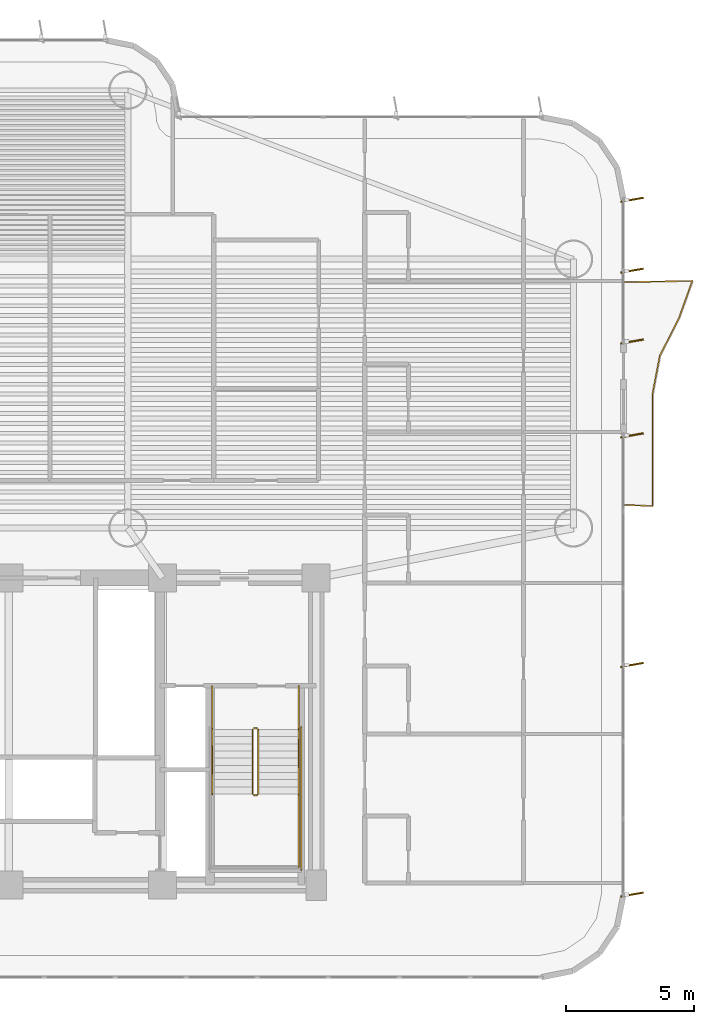
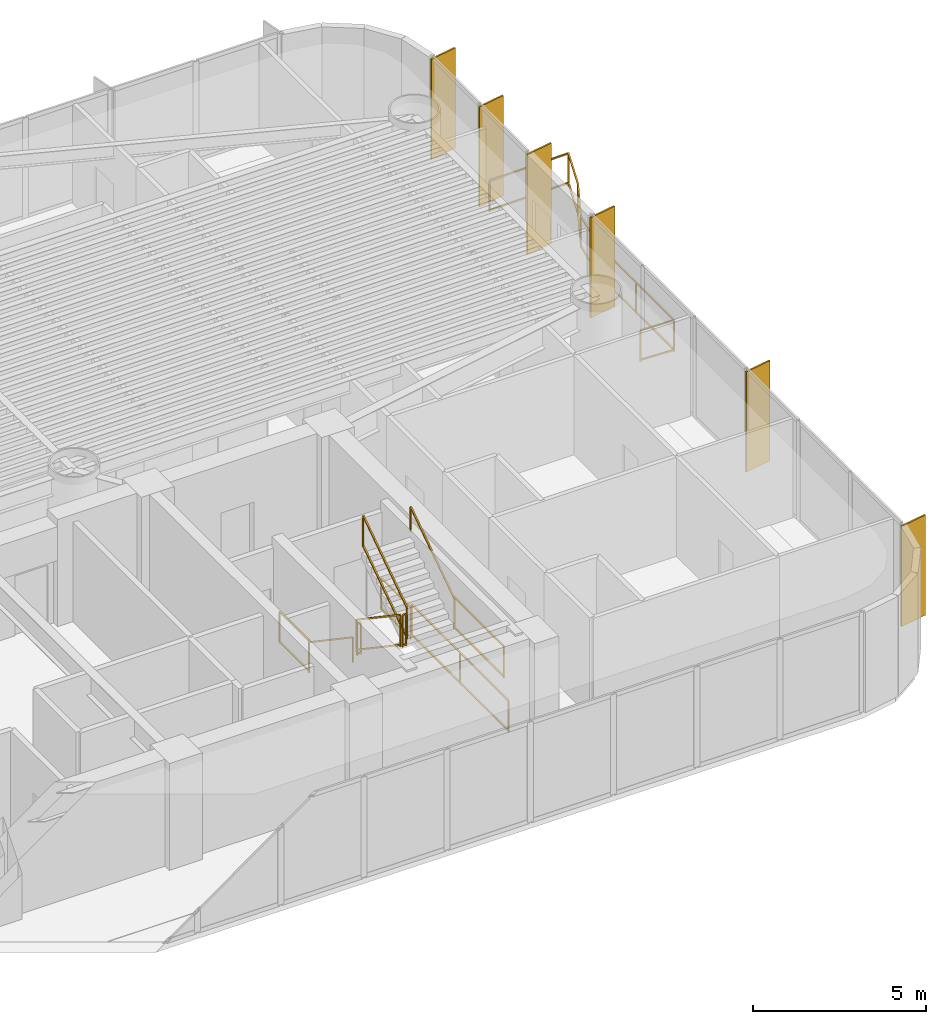
# One storey, part 17 of 18: 11 railings, 6 shading devices.
"""IFC4 building model written with IfcOpenShell, lengths in metres."""

from ifc_helpers import new_model, si_unit, direction, frame, origin, origin_2d, place, context, subcontext, project, spatial, rectangle, extrude, source, transform, mapped, material, layer, layer_set, material_profile, profile_set, type_object, element, save


model = new_model("IFC4")

# Units and contexts
model_context = context("Model", 3, precision=1e-05, world=origin(), true_north=direction((0.0, 1.0)))
body_context = subcontext(model_context, "Body", "Model", "MODEL_VIEW")
ifc_project = project(units=[si_unit("LENGTHUNIT", "METRE"), si_unit("AREAUNIT", "SQUARE_METRE"), si_unit("VOLUMEUNIT", "CUBIC_METRE"), si_unit("PLANEANGLEUNIT", "RADIAN"), si_unit("MASSUNIT", "GRAM", prefix="KILO")], contexts=[model_context])

# Site, building, storey
site_placement = place(None, origin())
site = spatial("IfcSite", under=ifc_project, at=site_placement, CompositionType="ELEMENT")
building_placement = place(site_placement, origin())
building = spatial("IfcBuilding", under=site, at=building_placement, Name="Brelvock Crest Care Tower", CompositionType="ELEMENT")
storey_placement = place(building_placement, frame((0.0, 0.0, 38.340087890625)))
storey = spatial("IfcBuildingStorey", under=building, at=storey_placement, Name="L09", CompositionType="ELEMENT", Elevation=38.340087890625)

# Railings
ifc_material_1 = material(Name="Dark Glass Double Glazed Low-E", Category="glass")
ifc_layer_1 = layer(ifc_material_1, 0.06005859375, Name="RL-BAL1")
ifc_layer_set_1 = layer_set([ifc_layer_1], Name="Dark Glass Double Glazed Low-E")
railing_type_1 = type_object("IfcRailingType", Name="RL-BAL1", PredefinedType="BALUSTRADE", material=ifc_layer_set_1)
railing_1_placement = place(storey_placement, frame((60.0400390625, 20.85009765625, 0.00390625)))
element("IfcRailing", 1, at=railing_1_placement, inside=storey, type_object=railing_type_1, Name="L09 Safety Balustrade WB-E", PredefinedType="BALUSTRADE", context=body_context, shape_type="SweptSolid", body=[
    extrude(rectangle(XDim=0.048095703125, YDim=0.048095703125, at=origin_2d()), frame((0.001953125, 0.0, 1.09619140625), z_axis=(0.998966252902, -0.045457953795, 0.0), x_axis=(0.045457953795, 0.998966252902, 0.0)), (0.0, 0.0, 1.0), 1.096923828125),
    extrude(rectangle(XDim=0.048095703125, YDim=0.048095703125, at=origin_2d()), frame((0.001953125, 0.0, 0.054931640625), z_axis=(0.998966252902, -0.045457953795, 0.0), x_axis=(0.045457953795, 0.998966252902, 0.0)), (0.0, 0.0, 1.0), 1.096923828125),
    extrude(rectangle(XDim=0.048095703125, YDim=0.048095703125, at=origin_2d()), frame((1.099853515625, -0.048095703125, 1.09619140625), z_axis=(0.0, 1.0, 0.0), x_axis=(-1.0, 0.0, 0.0)), (0.0, 0.0, 1.0), 4.39599609375),
    extrude(rectangle(XDim=0.048095703125, YDim=0.048095703125, at=origin_2d()), frame((1.099853515625, -0.048095703125, 0.054931640625), z_axis=(0.0, 1.0, 0.0), x_axis=(-1.0, 0.0, 0.0)), (0.0, 0.0, 1.0), 4.39599609375),
    extrude(rectangle(XDim=0.048095703125, YDim=0.048095703125, at=origin_2d()), frame((1.100341796875, 4.351806640625, 1.09619140625), z_axis=(0.187051999936, 0.982350013651, 0.0), x_axis=(-0.982350013651, 0.187051999936, 0.0)), (0.0, 0.0, 1.0), 1.4892578125),
    extrude(rectangle(XDim=0.048095703125, YDim=0.048095703125, at=origin_2d()), frame((1.100341796875, 4.351806640625, 0.054931640625), z_axis=(0.187051999936, 0.982350013651, 0.0), x_axis=(-0.982350013651, 0.187051999936, 0.0)), (0.0, 0.0, 1.0), 1.4892578125),
    extrude(rectangle(XDim=0.048095703125, YDim=0.048095703125, at=origin_2d()), frame((1.380126953125, 5.818359375, 1.09619140625), z_axis=(0.453316616849, 0.891349563801, 0.0), x_axis=(-0.891349563801, 0.453316616849, 0.0)), (0.0, 0.0, 1.0), 1.641357421875),
    extrude(rectangle(XDim=0.048095703125, YDim=0.048095703125, at=origin_2d()), frame((1.380126953125, 5.818359375, 0.054931640625), z_axis=(0.453316616849, 0.891349563801, 0.0), x_axis=(-0.891349563801, 0.453316616849, 0.0)), (0.0, 0.0, 1.0), 1.641357421875),
    extrude(rectangle(XDim=0.048095703125, YDim=0.048095703125, at=origin_2d()), frame((2.125732421875, 7.28515625, 1.09619140625), z_axis=(0.338597458076, 0.940931326604, 0.0), x_axis=(-0.940931326604, 0.338597458076, 0.0)), (0.0, 0.0, 1.0), 1.554931640625),
    extrude(rectangle(XDim=0.048095703125, YDim=0.048095703125, at=origin_2d()), frame((2.125732421875, 7.28515625, 0.054931640625), z_axis=(0.338597458076, 0.940931326604, 0.0), x_axis=(-0.940931326604, 0.338597458076, 0.0)), (0.0, 0.0, 1.0), 1.554931640625),
    extrude(rectangle(XDim=0.048095703125, YDim=0.048095703125, at=origin_2d()), frame((2.65087890625, 8.75, 1.09619140625), z_axis=(-0.999822080967, -0.018862831456, 0.0), x_axis=(0.018862831456, -0.999822080967, 0.0)), (0.0, 0.0, 1.0), 2.6494140625),
    extrude(rectangle(XDim=0.048095703125, YDim=0.048095703125, at=origin_2d()), frame((2.65087890625, 8.75, 0.054931640625), z_axis=(-0.999822080967, -0.018862831456, 0.0), x_axis=(0.018862831456, -0.999822080967, 0.0)), (0.0, 0.0, 1.0), 2.6494140625),
    extrude(rectangle(XDim=0.0419921875, YDim=0.0419921875, at=origin_2d()), origin(), (0.0, 0.0, 1.0), 1.070068359375),
    extrude(rectangle(XDim=0.0419921875, YDim=0.0419921875, at=origin_2d()), frame((1.099853515625, -0.050048828125, 0.0)), (0.0, 0.0, 1.0), 1.070068359375),
    extrude(rectangle(XDim=0.0419921875, YDim=0.0419921875, at=origin_2d()), frame((1.099853515625, 2.14990234375, 0.0)), (0.0, 0.0, 1.0), 1.070068359375),
    extrude(rectangle(XDim=0.0419921875, YDim=0.0419921875, at=origin_2d()), frame((1.099853515625, 4.349853515625, 0.0)), (0.0, 0.0, 1.0), 1.070068359375),
    extrude(rectangle(XDim=0.0419921875, YDim=0.0419921875, at=origin_2d()), frame((1.379150390625, 5.816650390625, 0.0)), (0.0, 0.0, 1.0), 1.070068359375),
    extrude(rectangle(XDim=0.0419921875, YDim=0.0419921875, at=origin_2d()), frame((2.125, 7.283203125, 0.0)), (0.0, 0.0, 1.0), 1.070068359375),
    extrude(rectangle(XDim=0.0419921875, YDim=0.0419921875, at=origin_2d()), frame((2.65283203125, 8.75, 0.0)), (0.0, 0.0, 1.0), 1.070068359375),
    extrude(rectangle(XDim=0.0419921875, YDim=0.0419921875, at=origin_2d()), frame((0.0, 8.699951171875, 0.0)), (0.0, 0.0, 1.0), 1.070068359375),
])
ifc_material_2 = material(Name="Steel Grade 350", Category="steel")
ifc_layer_2 = layer(ifc_material_2, 0.050048828125, Name="RL-STG1")
ifc_layer_set_2 = layer_set([ifc_layer_2], Name="Steel Grade 350")
railing_type_2 = type_object("IfcRailingType", Name="RL-STG1", PredefinedType="GUARDRAIL", material=ifc_layer_set_2)
railing_2_placement = place(storey_placement, frame((45.52001953125, 12.080078125, 0.18896484375)))
element("IfcRailing", 2, at=railing_2_placement, inside=storey, type_object=railing_type_2, Name="L09 ST-2 stair guard 1", PredefinedType="GUARDRAIL", context=body_context, shape_type="SweptSolid", body=[
    extrude(rectangle(XDim=0.048095703125, YDim=0.048095703125, at=origin_2d()), frame((0.0, -0.001708984375, 1.116943359375), z_axis=(0.0, -0.828861706735, 0.559453546873), x_axis=(1.0, 0.0, 0.0)), (0.0, 0.0, 1.0), 3.036376953125),
    extrude(rectangle(XDim=0.048095703125, YDim=0.048095703125, at=origin_2d()), frame((0.0, -0.001708984375, 0.05615234375), z_axis=(0.0, -0.828861706735, 0.559453546873), x_axis=(1.0, 0.0, 0.0)), (0.0, 0.0, 1.0), 3.036376953125),
    extrude(rectangle(XDim=0.0419921875, YDim=0.0419921875, at=origin_2d()), origin(), (0.0, 0.0, 1.0), 1.08984375),
    extrude(rectangle(XDim=0.0419921875, YDim=0.0419921875, at=origin_2d()), frame((0.0, -2.52001953125, 1.700927734375)), (0.0, 0.0, 1.0), 1.08984375),
])
railing_3_placement = place(storey_placement, frame((45.570068359375, 9.510009765625, 1.889892578125)))
element("IfcRailing", 3, at=railing_3_placement, inside=storey, type_object=railing_type_2, Name="L09 ST-2 stair guard 2", PredefinedType="GUARDRAIL", context=body_context, shape_type="SweptSolid", body=[
    extrude(rectangle(XDim=0.048095703125, YDim=0.048095703125, at=origin_2d()), frame((0.001953125, 0.0, 1.11572265625), z_axis=(1.0, 0.0, 0.0), x_axis=(0.0, 1.0, 0.0)), (0.0, 0.0, 1.0), 0.115966796875),
    extrude(rectangle(XDim=0.048095703125, YDim=0.048095703125, at=origin_2d()), frame((0.001953125, 0.0, 0.054931640625), z_axis=(1.0, 0.0, 0.0), x_axis=(0.0, 1.0, 0.0)), (0.0, 0.0, 1.0), 0.115966796875),
    extrude(rectangle(XDim=0.0419921875, YDim=0.0419921875, at=origin_2d()), origin(), (0.0, 0.0, 1.0), 1.08984375),
    extrude(rectangle(XDim=0.0419921875, YDim=0.0419921875, at=origin_2d()), frame((0.119873046875, 0.0, 0.0)), (0.0, 0.0, 1.0), 1.08984375),
])
railing_4_placement = place(storey_placement, frame((47.320068359375, 9.56005859375, 1.889892578125)))
element("IfcRailing", 4, at=railing_4_placement, inside=storey, type_object=railing_type_2, Name="L09 ST-2 stair guard 4", PredefinedType="GUARDRAIL", context=body_context, shape_type="SweptSolid", body=[
    extrude(rectangle(XDim=0.048095703125, YDim=0.048095703125, at=origin_2d()), frame((0.0, -0.001953125, 1.11572265625), z_axis=(0.0, -1.0, 0.0), x_axis=(1.0, 0.0, 0.0)), (0.0, 0.0, 1.0), 2.856201171875),
    extrude(rectangle(XDim=0.048095703125, YDim=0.048095703125, at=origin_2d()), frame((0.0, -0.001953125, 0.054931640625), z_axis=(0.0, -1.0, 0.0), x_axis=(1.0, 0.0, 0.0)), (0.0, 0.0, 1.0), 2.856201171875),
    extrude(rectangle(XDim=0.0419921875, YDim=0.0419921875, at=origin_2d()), origin(), (0.0, 0.0, 1.0), 1.08984375),
    extrude(rectangle(XDim=0.0419921875, YDim=0.0419921875, at=origin_2d()), frame((0.0, -2.860107421875, 0.0)), (0.0, 0.0, 1.0), 1.08984375),
])
railing_5_placement = place(storey_placement, frame((45.739990234375, 9.56005859375, 2.078857421875)))
element("IfcRailing", 5, at=railing_5_placement, inside=storey, type_object=railing_type_2, Name="L09 ST-2 stair guard 6", PredefinedType="GUARDRAIL", context=body_context, shape_type="SweptSolid", body=[
    extrude(rectangle(XDim=0.048095703125, YDim=0.048095703125, at=origin_2d()), frame((0.0, 0.001708984375, 1.116943359375), z_axis=(0.0, 0.82882447046, 0.559508710537), x_axis=(-1.0, 0.0, 0.0)), (0.0, 0.0, 1.0), 3.036376953125),
    extrude(rectangle(XDim=0.048095703125, YDim=0.048095703125, at=origin_2d()), frame((0.0, 0.001708984375, 0.05615234375), z_axis=(0.0, 0.82882447046, 0.559508710537), x_axis=(-1.0, 0.0, 0.0)), (0.0, 0.0, 1.0), 3.036376953125),
    extrude(rectangle(XDim=0.0419921875, YDim=0.0419921875, at=origin_2d()), origin(), (0.0, 0.0, 1.0), 1.08984375),
    extrude(rectangle(XDim=0.0419921875, YDim=0.0419921875, at=origin_2d()), frame((0.0, 2.52001953125, 1.701171875)), (0.0, 0.0, 1.0), 1.08984375),
])
railing_6_placement = place(storey_placement, frame((45.570068359375, 12.1298828125, 0.0)))
element("IfcRailing", 6, at=railing_6_placement, inside=storey, type_object=railing_type_2, Name="L09 ST-2 stair guard 7", PredefinedType="GUARDRAIL", context=body_context, shape_type="SweptSolid", body=[
    extrude(rectangle(XDim=0.048095703125, YDim=0.048095703125, at=origin_2d()), frame((0.001953125, 0.0, 1.11572265625), z_axis=(1.0, 0.0, 0.0), x_axis=(0.0, 1.0, 0.0)), (0.0, 0.0, 1.0), 0.115966796875),
    extrude(rectangle(XDim=0.048095703125, YDim=0.048095703125, at=origin_2d()), frame((0.001953125, 0.0, 0.054931640625), z_axis=(1.0, 0.0, 0.0), x_axis=(0.0, 1.0, 0.0)), (0.0, 0.0, 1.0), 0.115966796875),
    extrude(rectangle(XDim=0.0419921875, YDim=0.0419921875, at=origin_2d()), origin(), (0.0, 0.0, 1.0), 1.08984375),
    extrude(rectangle(XDim=0.0419921875, YDim=0.0419921875, at=origin_2d()), frame((0.119873046875, 0.0, 0.0)), (0.0, 0.0, 1.0), 1.08984375),
])
for number, where, name in (
    (7, (43.93994140625, 13.780029296875, 0.0), "L09 ST-2 stair guard 8"),
    (8, (47.320068359375, 13.780029296875, 0.0), "L09 ST-2 stair guard 9"),
):
    element("IfcRailing", number, at=place(storey_placement, frame(where)), inside=storey, type_object=railing_type_2, Name=name, PredefinedType="GUARDRAIL", context=body_context, shape_type="SweptSolid", body=[
        extrude(rectangle(XDim=0.048095703125, YDim=0.048095703125, at=origin_2d()), frame((0.0, -0.001953125, 1.11572265625), z_axis=(0.0, -1.0, 0.0), x_axis=(1.0, 0.0, 0.0)), (0.0, 0.0, 1.0), 1.696044921875),
        extrude(rectangle(XDim=0.048095703125, YDim=0.048095703125, at=origin_2d()), frame((0.0, -0.001953125, 0.054931640625), z_axis=(0.0, -1.0, 0.0), x_axis=(1.0, 0.0, 0.0)), (0.0, 0.0, 1.0), 1.696044921875),
        extrude(rectangle(XDim=0.0419921875, YDim=0.0419921875, at=origin_2d()), origin(), (0.0, 0.0, 1.0), 1.08984375),
        extrude(rectangle(XDim=0.0419921875, YDim=0.0419921875, at=origin_2d()), frame((0.0, -1.699951171875, 0.0)), (0.0, 0.0, 1.0), 1.08984375),
    ])
railing_7_placement = place(storey_placement, frame((47.419921875, 12.179931640625, 0.0)))
element("IfcRailing", 9, at=railing_7_placement, inside=storey, type_object=railing_type_2, Name="L09 ST-2 stair guard 11", PredefinedType="GUARDRAIL", context=body_context, shape_type="SweptSolid", body=[
    extrude(rectangle(XDim=0.048095703125, YDim=0.048095703125, at=origin_2d()), frame((0.0, -0.001953125, 1.11572265625), z_axis=(0.0, -1.0, 0.0), x_axis=(1.0, 0.0, 0.0)), (0.0, 0.0, 1.0), 5.575927734375),
    extrude(rectangle(XDim=0.048095703125, YDim=0.048095703125, at=origin_2d()), frame((0.0, -0.001953125, 0.054931640625), z_axis=(0.0, -1.0, 0.0), x_axis=(1.0, 0.0, 0.0)), (0.0, 0.0, 1.0), 5.575927734375),
    extrude(rectangle(XDim=0.0419921875, YDim=0.0419921875, at=origin_2d()), origin(), (0.0, 0.0, 1.0), 1.08984375),
    extrude(rectangle(XDim=0.0419921875, YDim=0.0419921875, at=origin_2d()), frame((0.0, -2.7900390625, 0.0)), (0.0, 0.0, 1.0), 1.08984375),
    extrude(rectangle(XDim=0.0419921875, YDim=0.0419921875, at=origin_2d()), frame((0.0, -5.579833984375, 0.0)), (0.0, 0.0, 1.0), 1.08984375),
])
ifc_layer_3 = layer(ifc_material_2, 0.048095703125, Name="RL-STH1")
ifc_layer_set_3 = layer_set([ifc_layer_3], Name="Steel Grade 350")
railing_type_3 = type_object("IfcRailingType", Name="RL-STH1", PredefinedType="HANDRAIL", material=ifc_layer_set_3)
railing_8_placement = place(storey_placement, frame((43.93994140625, 12.080078125, 0.18896484375)))
element("IfcRailing", 10, at=railing_8_placement, inside=storey, type_object=railing_type_3, Name="L09 ST-2 stair handrail 1", PredefinedType="HANDRAIL", context=body_context, shape_type="SweptSolid", body=[
    extrude(rectangle(XDim=0.048095703125, YDim=0.048095703125, at=origin_2d()), frame((0.0, -0.001708984375, 0.876953125), z_axis=(0.0, -0.828861706735, 0.559453546873), x_axis=(1.0, 0.0, 0.0)), (0.0, 0.0, 1.0), 3.036376953125),
    extrude(rectangle(XDim=0.0419921875, YDim=0.0419921875, at=origin_2d()), origin(), (0.0, 0.0, 1.0), 0.849853515625),
    extrude(rectangle(XDim=0.0419921875, YDim=0.0419921875, at=origin_2d()), frame((0.0, -2.52001953125, 1.700927734375)), (0.0, 0.0, 1.0), 0.849853515625),
])
railing_9_placement = place(storey_placement, frame((47.320068359375, 9.56005859375, 2.078857421875)))
element("IfcRailing", 11, at=railing_9_placement, inside=storey, type_object=railing_type_3, Name="L09 ST-2 stair handrail 2", PredefinedType="HANDRAIL", context=body_context, shape_type="SweptSolid", body=[
    extrude(rectangle(XDim=0.048095703125, YDim=0.048095703125, at=origin_2d()), frame((0.0, 0.001708984375, 0.876953125), z_axis=(0.0, 0.82882447046, 0.559508710537), x_axis=(-1.0, 0.0, 0.0)), (0.0, 0.0, 1.0), 3.036376953125),
    extrude(rectangle(XDim=0.0419921875, YDim=0.0419921875, at=origin_2d()), origin(), (0.0, 0.0, 1.0), 0.849853515625),
    extrude(rectangle(XDim=0.0419921875, YDim=0.0419921875, at=origin_2d()), frame((0.0, 2.52001953125, 1.701171875)), (0.0, 0.0, 1.0), 0.849853515625),
])

# Shading devices
ifc_material_3 = material(Name="Aluminium 6063-T6", Category="aluminium")
ifc_material_profile = material_profile(ifc_material_3, rectangle(XDim=0.054931640625, YDim=0.89990234375, at=origin_2d()), Name="FIN55x900")
ifc_profile_set = profile_set([ifc_material_profile], Name="Aluminium 6063-T6")
shading_device_type = type_object("IfcShadingDeviceType", Name="SHD-FIN1", PredefinedType="USERDEFINED", material=ifc_profile_set)
shared_shape = source(origin(), body_context, "Body", "SweptSolid", [
    extrude(rectangle(XDim=0.054931640625, YDim=0.89990234375, at=origin_2d()), origin(), (0.0, 0.0, 1.0), 3.530029296875),
])
for number, where, z_axis, x_axis, name in (
    (12, (60.340087890625, 32.767578125, 0.0), (0.0, 0.0, 1.0), (0.173648177667, -0.984807753012, 0.0), "L09 Vertical Sunshade Fin E03A-01"),
    (13, (60.340087890625, 30.0, 0.0), (0.0, 0.0, 1.0), (0.173648177667, -0.984807753012, 0.0), "L09 Vertical Sunshade Fin E03A-02"),
    (14, (60.340087890625, 27.232421875, 0.0), (0.0, 0.0, 1.0), (0.173648177667, -0.984807753012, 0.0), "L09 Vertical Sunshade Fin E03A-03"),
    (15, (60.340087890625, 23.5673828125, 0.0), (0.0, 0.0, 1.0), (0.173648177667, -0.984807753012, 0.0), "L09 Vertical Sunshade Fin E03B-01"),
    (16, (60.340087890625, 14.60009765625, 0.0), (0.0, 0.0, 1.0), (0.173648177667, -0.984807753012, 0.0), "L09 Vertical Sunshade Fin E03B-04"),
    (17, (60.340087890625, 5.632568359375, 0.0), (0.0, 0.0, 1.0), (0.173648177667, -0.984807753012, 0.0), "L09 Vertical Sunshade Fin E03B-07"),
):
    element("IfcShadingDevice", number, at=place(storey_placement, frame(where, z_axis=z_axis, x_axis=x_axis)), inside=storey, type_object=shading_device_type, Name=name, ObjectType="FIN", PredefinedType="USERDEFINED", context=body_context, shape_type="MappedRepresentation", body=[
        mapped(shared_shape, transform((0.0, 0.0, 0.0), x_axis=(1.0, 0.0, 0.0), y_axis=(0.0, 1.0, 0.0), z_axis=(0.0, 0.0, 1.0), scale=1.0)),
    ])

save(model, "model.ifc")
